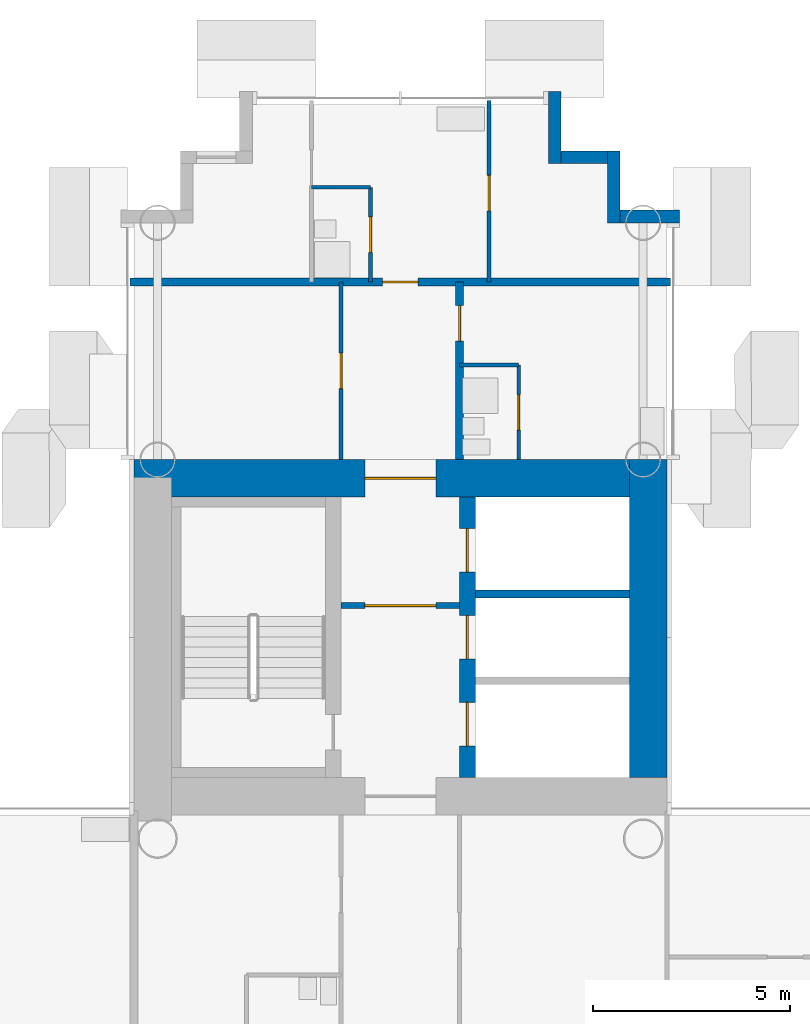
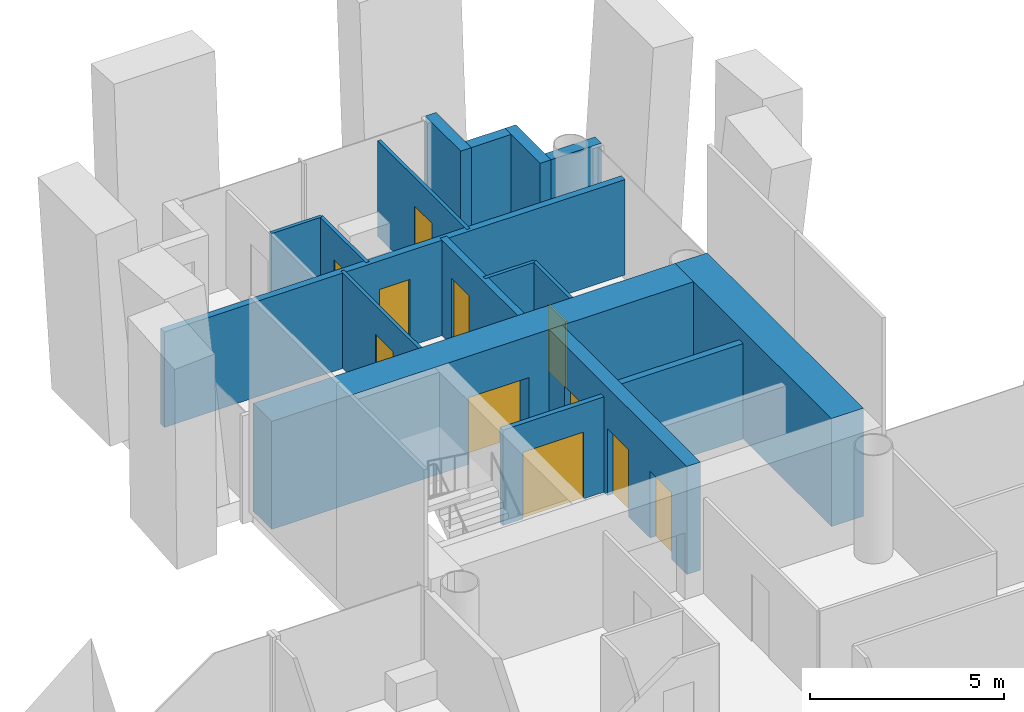
# One storey, part 14 of 21: 17 walls, 11 doors, 11 openings.
"""IFC4 building model written with IfcOpenShell, lengths in metres."""

from ifc_helpers import new_model, si_unit, direction, frame, frame_2d, origin, place, context, subcontext, project, spatial, rectangle, extrude, material, layer, layer_set, type_object, element, fill, save


model = new_model("IFC4")

# Units and contexts
model_context = context("Model", 3, precision=1e-05, world=origin(), true_north=direction((0.0, 1.0)))
body_context = subcontext(model_context, "Body", "Model", "MODEL_VIEW")
ifc_project = project(units=[si_unit("LENGTHUNIT", "METRE"), si_unit("AREAUNIT", "SQUARE_METRE"), si_unit("VOLUMEUNIT", "CUBIC_METRE"), si_unit("PLANEANGLEUNIT", "RADIAN"), si_unit("MASSUNIT", "GRAM", prefix="KILO")], contexts=[model_context])

# Site, building, storey
site_placement = place(None, origin())
site = spatial("IfcSite", under=ifc_project, at=site_placement, CompositionType="ELEMENT")
building_placement = place(site_placement, origin())
building = spatial("IfcBuilding", under=site, at=building_placement, Name="Ipe Terrace Towers", CompositionType="ELEMENT")
storey_placement = place(building_placement, frame((0.0, 0.0, 107.199951171875)))
storey = spatial("IfcBuildingStorey", under=building, at=storey_placement, Name="L29", CompositionType="ELEMENT", Elevation=107.199951171875)

# Walls
ifc_material_1 = material(Name="Concrete C40/50 with buff precast cladding", Category="concrete")
ifc_layer_1 = layer(ifc_material_1, 0.320068359375)
ifc_layer_set_1 = layer_set([ifc_layer_1], Name="BUFF CLADDING WALL 320")
wall_type_1 = type_object("IfcWallType", Name="BUFF CLADDING WALL 320", PredefinedType="STANDARD", material=ifc_layer_set_1)
wall_1_placement = place(storey_placement, frame((43.070068359375, 21.909912109375, -0.300048828125), z_axis=(0.0, 0.0, 1.0), x_axis=(-1.0, 0.0, 0.0)))
element("IfcWall", 1, at=wall_1_placement, inside=storey, type_object=wall_type_1, Name="T2-W-L29-17a wall", PredefinedType="STANDARD", context=body_context, shape_type="SweptSolid", body=[
    extrude(rectangle(XDim=1.5, YDim=0.320068359375, at=frame_2d((0.75, 0.0))), origin(), (0.0, 0.0, 1.0), 3.400146484375),
])
wall_2_placement = place(storey_placement, frame((41.409912109375, 21.75, -0.300048828125), z_axis=(0.0, 0.0, 1.0), x_axis=(0.0, 1.0, 0.0)))
element("IfcWall", 2, at=wall_2_placement, inside=storey, type_object=wall_type_1, Name="T2-W-L29-18a wall", PredefinedType="STANDARD", context=body_context, shape_type="SweptSolid", body=[
    extrude(rectangle(XDim=1.820068359375, YDim=0.320068359375, at=frame_2d((0.91015625, 0.0))), origin(), (0.0, 0.0, 1.0), 3.400146484375),
])
wall_3_placement = place(storey_placement, frame((41.25, 23.409912109375, -0.300048828125), z_axis=(0.0, 0.0, 1.0), x_axis=(-1.0, 0.0, 0.0)))
element("IfcWall", 3, at=wall_3_placement, inside=storey, type_object=wall_type_1, Name="T2-W-L29-19a wall", PredefinedType="STANDARD", context=body_context, shape_type="SweptSolid", body=[
    extrude(rectangle(XDim=1.179931640625, YDim=0.320068359375, at=frame_2d((0.58984375, 0.0))), origin(), (0.0, 0.0, 1.0), 3.400146484375),
])
wall_4_placement = place(storey_placement, frame((39.909912109375, 23.25, -0.300048828125), z_axis=(0.0, 0.0, 1.0), x_axis=(0.0, 1.0, 0.0)))
element("IfcWall", 4, at=wall_4_placement, inside=storey, type_object=wall_type_1, Name="T2-W-L29-20a wall", PredefinedType="STANDARD", context=body_context, shape_type="SweptSolid", body=[
    extrude(rectangle(XDim=1.820068359375, YDim=0.320068359375, at=frame_2d((0.91015625, 0.0))), origin(), (0.0, 0.0, 1.0), 3.400146484375),
])
ifc_material_2 = material(Name="Gypsum board partition", Category="plasterboard")
ifc_layer_2 = layer(ifc_material_2, 0.10009765625)
ifc_layer_set_2 = layer_set([ifc_layer_2], Name="Gypsum board partition 100 mm")
wall_type_2 = type_object("IfcWallType", Name="Gypsum board partition 100 mm", PredefinedType="PARTITIONING", material=ifc_layer_set_2)
for number, where, z_axis, x_axis, name in (
    (5, (39.0, 18.14990234375, 0.0), (0.0, 0.0, 1.0), (-1.0, 0.0, 0.0), "Gypsum board partition T2 L29 W14"),
    (6, (35.25, 22.64990234375, 0.0), (0.0, 0.0, 1.0), (-1.0, 0.0, 0.0), "Gypsum board partition T2 L29 W16"),
):
    element("IfcWall", number, at=place(storey_placement, frame(where, z_axis=z_axis, x_axis=x_axis)), inside=storey, type_object=wall_type_2, Name=name, PredefinedType="PARTITIONING", context=body_context, shape_type="SweptSolid", body=[
        extrude(rectangle(XDim=1.5, YDim=0.10009765625, at=frame_2d((0.75, 0.0))), origin(), (0.0, 0.0, 1.0), 3.0),
    ])

# Wall, opening, door
wall_5_placement = place(storey_placement, frame((39.0, 15.75, 0.0), z_axis=(0.0, 0.0, 1.0), x_axis=(0.0, 1.0, 0.0)))
wall_5 = element("IfcWall", 7, at=wall_5_placement, inside=storey, type_object=wall_type_2, Name="Gypsum board partition T2 L29 W23", PredefinedType="PARTITIONING", context=body_context, shape_type="SweptSolid", body=[
    extrude(rectangle(XDim=2.39990234375, YDim=0.10009765625, at=frame_2d((1.199951171875, 0.0))), origin(), (0.0, 0.0, 1.0), 3.0),
])
opening_1_placement = place(wall_5_placement, frame((0.75, 0.0, 0.0)))
opening_1 = element("IfcOpeningElement", 8, at=opening_1_placement, cuts=wall_5, Name="Opening T2-Z2F-22", PredefinedType="OPENING", context=body_context, shape_type="SweptSolid", body=[
    extrude(rectangle(XDim=0.89990234375, YDim=2.10009765625, at=frame_2d((0.449951171875, 1.050048828125))), frame((0.0, 0.06005859375, 0.0), z_axis=(0.0, -1.0, 0.0), x_axis=(1.0, 0.0, 0.0)), (0.0, 0.0, 1.0), 0.1201171875),
])
ifc_material_3 = material(Name="Timber door leaf", Category="wood")
door_type_1 = type_object("IfcDoorType", Name="Bathroom door 900 x 2100", OperationType="NOTDEFINED", PredefinedType="DOOR", material=ifc_material_3)
door_1_placement = place(opening_1_placement, origin())
door_1 = element("IfcDoor", 9, at=door_1_placement, inside=storey, type_object=door_type_1, Name="Bathroom door T2-Z2F-22", OperationType="SINGLE_SWING_LEFT", OverallHeight=2.10009765625, OverallWidth=0.89990234375, PredefinedType="DOOR", context=body_context, shape_type="SweptSolid", body=[
    extrude(rectangle(XDim=0.89990234375, YDim=2.10009765625, at=frame_2d((0.449951171875, 1.050048828125))), frame((0.0, 0.02490234375, 0.0), z_axis=(0.0, -1.0, 0.0), x_axis=(1.0, 0.0, 0.0)), (0.0, 0.0, 1.0), 0.050048828125),
])
fill(opening_1, door_1)

wall_6_placement = place(storey_placement, frame((38.25, 20.25, 0.0), z_axis=(0.0, 0.0, 1.0), x_axis=(0.0, 1.0, 0.0)))
wall_6 = element("IfcWall", 10, at=wall_6_placement, inside=storey, type_object=wall_type_2, Name="Gypsum board partition T2 L29 W24", PredefinedType="PARTITIONING", context=body_context, shape_type="SweptSolid", body=[
    extrude(rectangle(XDim=4.60009765625, YDim=0.10009765625, at=frame_2d((2.300048828125, 0.0))), origin(), (0.0, 0.0, 1.0), 3.0),
])
opening_2_placement = place(wall_6_placement, frame((1.800048828125, 0.0, 0.0)))
opening_2 = element("IfcOpeningElement", 11, at=opening_2_placement, cuts=wall_6, Name="Opening T2-Z2F-26", PredefinedType="OPENING", context=body_context, shape_type="SweptSolid", body=[
    extrude(rectangle(XDim=0.89990234375, YDim=2.10009765625, at=frame_2d((0.449951171875, 1.050048828125))), frame((0.0, 0.06005859375, 0.0), z_axis=(0.0, -1.0, 0.0), x_axis=(1.0, 0.0, 0.0)), (0.0, 0.0, 1.0), 0.1201171875),
])
ifc_material_4 = material(Name="Timber door leaf", Category="wood")
door_type_2 = type_object("IfcDoorType", Name="Lounge door 900 x 2100", OperationType="NOTDEFINED", PredefinedType="DOOR", material=ifc_material_4)
door_2_placement = place(opening_2_placement, origin())
door_2 = element("IfcDoor", 12, at=door_2_placement, inside=storey, type_object=door_type_2, Name="Lounge door T2-Z2F-26", OperationType="SINGLE_SWING_LEFT", OverallHeight=2.10009765625, OverallWidth=0.89990234375, PredefinedType="DOOR", context=body_context, shape_type="SweptSolid", body=[
    extrude(rectangle(XDim=0.89990234375, YDim=2.10009765625, at=frame_2d((0.449951171875, 1.050048828125))), frame((0.0, 0.02490234375, 0.0), z_axis=(0.0, -1.0, 0.0), x_axis=(1.0, 0.0, 0.0)), (0.0, 0.0, 1.0), 0.050048828125),
])
fill(opening_2, door_2)

wall_7_placement = place(storey_placement, frame((35.25, 20.25, 0.0), z_axis=(0.0, 0.0, 1.0), x_axis=(0.0, 1.0, 0.0)))
wall_7 = element("IfcWall", 13, at=wall_7_placement, inside=storey, type_object=wall_type_2, Name="Gypsum board partition T2 L29 W28", PredefinedType="PARTITIONING", context=body_context, shape_type="SweptSolid", body=[
    extrude(rectangle(XDim=2.39990234375, YDim=0.10009765625, at=frame_2d((1.199951171875, 0.0))), origin(), (0.0, 0.0, 1.0), 3.0),
])
opening_3_placement = place(wall_7_placement, frame((0.75, 0.0, 0.0)))
opening_3 = element("IfcOpeningElement", 14, at=opening_3_placement, cuts=wall_7, Name="Opening T2-Z2F-23", PredefinedType="OPENING", context=body_context, shape_type="SweptSolid", body=[
    extrude(rectangle(XDim=0.89990234375, YDim=2.10009765625, at=frame_2d((0.449951171875, 1.050048828125))), frame((0.0, 0.06005859375, 0.0), z_axis=(0.0, -1.0, 0.0), x_axis=(1.0, 0.0, 0.0)), (0.0, 0.0, 1.0), 0.1201171875),
])
door_3_placement = place(opening_3_placement, origin())
door_3 = element("IfcDoor", 15, at=door_3_placement, inside=storey, type_object=door_type_1, Name="Bathroom door T2-Z2F-23", OperationType="SINGLE_SWING_LEFT", OverallHeight=2.10009765625, OverallWidth=0.89990234375, PredefinedType="DOOR", context=body_context, shape_type="SweptSolid", body=[
    extrude(rectangle(XDim=0.89990234375, YDim=2.10009765625, at=frame_2d((0.449951171875, 1.050048828125))), frame((0.0, 0.02490234375, 0.0), z_axis=(0.0, -1.0, 0.0), x_axis=(1.0, 0.0, 0.0)), (0.0, 0.0, 1.0), 0.050048828125),
])
fill(opening_3, door_3)

wall_8_placement = place(storey_placement, frame((34.5, 15.75, 0.0), z_axis=(0.0, 0.0, 1.0), x_axis=(0.0, 1.0, 0.0)))
wall_8 = element("IfcWall", 16, at=wall_8_placement, inside=storey, type_object=wall_type_2, Name="Gypsum board partition T2 L29 W31", PredefinedType="PARTITIONING", context=body_context, shape_type="SweptSolid", body=[
    extrude(rectangle(XDim=4.5, YDim=0.10009765625, at=frame_2d((2.25, 0.0))), origin(), (0.0, 0.0, 1.0), 3.0),
])
opening_4_placement = place(wall_8_placement, frame((1.800048828125, 0.0, 0.0)))
opening_4 = element("IfcOpeningElement", 17, at=opening_4_placement, cuts=wall_8, Name="Opening T2-Z2F-20", PredefinedType="OPENING", context=body_context, shape_type="SweptSolid", body=[
    extrude(rectangle(XDim=0.89990234375, YDim=2.10009765625, at=frame_2d((0.449951171875, 1.050048828125))), frame((0.0, 0.06005859375, 0.0), z_axis=(0.0, -1.0, 0.0), x_axis=(1.0, 0.0, 0.0)), (0.0, 0.0, 1.0), 0.1201171875),
])
door_4_placement = place(opening_4_placement, origin())
door_4 = element("IfcDoor", 18, at=door_4_placement, inside=storey, type_object=door_type_2, Name="Lounge door T2-Z2F-20", OperationType="SINGLE_SWING_LEFT", OverallHeight=2.10009765625, OverallWidth=0.89990234375, PredefinedType="DOOR", context=body_context, shape_type="SweptSolid", body=[
    extrude(rectangle(XDim=0.89990234375, YDim=2.10009765625, at=frame_2d((0.449951171875, 1.050048828125))), frame((0.0, 0.02490234375, 0.0), z_axis=(0.0, -1.0, 0.0), x_axis=(1.0, 0.0, 0.0)), (0.0, 0.0, 1.0), 0.050048828125),
])
fill(opening_4, door_4)

ifc_material_5 = material(Name="Gypsum board partition", Category="plasterboard")
ifc_layer_3 = layer(ifc_material_5, 0.14990234375)
ifc_layer_set_3 = layer_set([ifc_layer_3], Name="Gypsum board partition 150 mm")
wall_type_3 = type_object("IfcWallType", Name="Gypsum board partition 150 mm", PredefinedType="PARTITIONING", material=ifc_layer_set_3)
wall_9_placement = place(storey_placement, frame((37.5, 12.050048828125, 0.0), z_axis=(0.0, 0.0, 1.0), x_axis=(-1.0, 0.0, 0.0)))
wall_9 = element("IfcWall", 19, at=wall_9_placement, inside=storey, type_object=wall_type_3, Name="Gypsum board partition T2 L29 t2c1-lobby-wall", PredefinedType="PARTITIONING", context=body_context, shape_type="SweptSolid", body=[
    extrude(rectangle(XDim=3.0, YDim=0.14990234375, at=frame_2d((1.5, 0.0))), origin(), (0.0, 0.0, 1.0), 3.0),
])
opening_5_placement = place(wall_9_placement, frame((0.60009765625, 0.0, 0.0)))
opening_5 = element("IfcOpeningElement", 20, at=opening_5_placement, cuts=wall_9, Name="Opening T2C1-VD", PredefinedType="OPENING", context=body_context, shape_type="SweptSolid", body=[
    extrude(rectangle(XDim=1.800048828125, YDim=2.10009765625, at=frame_2d((0.89990234375, 1.050048828125))), frame((0.0, 0.0849609375, 0.0), z_axis=(0.0, -1.0, 0.0), x_axis=(1.0, 0.0, 0.0)), (0.0, 0.0, 1.0), 0.169921875),
])
ifc_material_6 = material(Name="Fire-rated timber door leaf", Category="wood")
door_type_3 = type_object("IfcDoorType", Name="Lobby door 1800 x 2100 FD60", OperationType="NOTDEFINED", PredefinedType="DOOR", material=ifc_material_6)
door_5_placement = place(opening_5_placement, origin())
door_5 = element("IfcDoor", 21, at=door_5_placement, inside=storey, type_object=door_type_3, Name="Lobby door T2C1-VD", OperationType="SINGLE_SWING_LEFT", OverallHeight=2.10009765625, OverallWidth=1.800048828125, PredefinedType="DOOR", context=body_context, shape_type="SweptSolid", body=[
    extrude(rectangle(XDim=1.800048828125, YDim=2.10009765625, at=frame_2d((0.89990234375, 1.050048828125))), frame((0.0, 0.02490234375, 0.0), z_axis=(0.0, -1.0, 0.0), x_axis=(1.0, 0.0, 0.0)), (0.0, 0.0, 1.0), 0.050048828125),
])
fill(opening_5, door_5)

# Wall
ifc_material_7 = material(Name="Gypsum board party wall", Category="plasterboard")
ifc_layer_4 = layer(ifc_material_7, 0.199951171875)
ifc_layer_set_4 = layer_set([ifc_layer_4], Name="Gypsum board party wall 200 mm")
wall_type_4 = type_object("IfcWallType", Name="Gypsum board party wall 200 mm", PredefinedType="SOLIDWALL", material=ifc_layer_set_4)
wall_10_placement = place(storey_placement, frame((41.800048828125, 12.35009765625, 0.0), z_axis=(0.0, 0.0, 1.0), x_axis=(-1.0, 0.0, 0.0)))
element("IfcWall", 22, at=wall_10_placement, inside=storey, type_object=wall_type_4, Name="Gypsum board party wall T2 L29 t2c1-shaft-div2", PredefinedType="SOLIDWALL", context=body_context, shape_type="SweptSolid", body=[
    extrude(rectangle(XDim=3.900146484375, YDim=0.199951171875, at=frame_2d((1.9501953125, 0.0))), origin(), (0.0, 0.0, 1.0), 3.0),
])

# Wall, opening, door
wall_11_placement = place(storey_placement, frame((42.85009765625, 20.25, 0.0), z_axis=(0.0, 0.0, 1.0), x_axis=(-1.0, 0.0, 0.0)))
wall_11 = element("IfcWall", 23, at=wall_11_placement, inside=storey, type_object=wall_type_4, Name="Gypsum board party wall T2 L29 W15", PredefinedType="SOLIDWALL", context=body_context, shape_type="SweptSolid", body=[
    extrude(rectangle(XDim=13.7001953125, YDim=0.199951171875, at=frame_2d((6.85009765625, 0.0))), origin(), (0.0, 0.0, 1.0), 3.0),
])
opening_6_placement = place(wall_11_placement, frame((6.39990234375, 0.0, 0.0)))
opening_6 = element("IfcOpeningElement", 24, at=opening_6_placement, cuts=wall_11, Name="Opening T2-Z2F-24", PredefinedType="OPENING", context=body_context, shape_type="SweptSolid", body=[
    extrude(rectangle(XDim=0.89990234375, YDim=2.10009765625, at=frame_2d((0.449951171875, 1.050048828125))), frame((0.0, 0.10986328125, 0.0), z_axis=(0.0, -1.0, 0.0), x_axis=(1.0, 0.0, 0.0)), (0.0, 0.0, 1.0), 0.219970703125),
])
ifc_material_8 = material(Name="Fire-rated timber door leaf", Category="wood")
door_type_4 = type_object("IfcDoorType", Name="Flat entrance door 900 x 2100 FD30S", OperationType="NOTDEFINED", PredefinedType="DOOR", material=ifc_material_8)
door_6_placement = place(opening_6_placement, origin())
door_6 = element("IfcDoor", 25, at=door_6_placement, inside=storey, type_object=door_type_4, Name="Flat entrance door T2-Z2F-24", OperationType="SINGLE_SWING_RIGHT", OverallHeight=2.10009765625, OverallWidth=0.89990234375, PredefinedType="DOOR", context=body_context, shape_type="SweptSolid", body=[
    extrude(rectangle(XDim=0.89990234375, YDim=2.10009765625, at=frame_2d((0.449951171875, 1.050048828125))), frame((0.0, 0.02490234375, 0.0), z_axis=(0.0, -1.0, 0.0), x_axis=(1.0, 0.0, 0.0)), (0.0, 0.0, 1.0), 0.050048828125),
])
fill(opening_6, door_6)

wall_12_placement = place(storey_placement, frame((37.5, 15.75, 0.0), z_axis=(0.0, 0.0, 1.0), x_axis=(0.0, 1.0, 0.0)))
wall_12 = element("IfcWall", 26, at=wall_12_placement, inside=storey, type_object=wall_type_4, Name="Gypsum board party wall T2 L29 W27", PredefinedType="SOLIDWALL", context=body_context, shape_type="SweptSolid", body=[
    extrude(rectangle(XDim=4.5, YDim=0.199951171875, at=frame_2d((2.25, 0.0))), origin(), (0.0, 0.0, 1.0), 3.0),
])
opening_7_placement = place(wall_12_placement, frame((3.0, 0.0, 0.0)))
opening_7 = element("IfcOpeningElement", 27, at=opening_7_placement, cuts=wall_12, Name="Opening T2-Z2F-21", PredefinedType="OPENING", context=body_context, shape_type="SweptSolid", body=[
    extrude(rectangle(XDim=0.89990234375, YDim=2.10009765625, at=frame_2d((0.449951171875, 1.050048828125))), frame((0.0, 0.10986328125, 0.0), z_axis=(0.0, -1.0, 0.0), x_axis=(1.0, 0.0, 0.0)), (0.0, 0.0, 1.0), 0.219970703125),
])
door_7_placement = place(opening_7_placement, origin())
door_7 = element("IfcDoor", 28, at=door_7_placement, inside=storey, type_object=door_type_4, Name="Flat entrance door T2-Z2F-21", OperationType="SINGLE_SWING_RIGHT", OverallHeight=2.10009765625, OverallWidth=0.89990234375, PredefinedType="DOOR", context=body_context, shape_type="SweptSolid", body=[
    extrude(rectangle(XDim=0.89990234375, YDim=2.10009765625, at=frame_2d((0.449951171875, 1.050048828125))), frame((0.0, 0.02490234375, 0.0), z_axis=(0.0, -1.0, 0.0), x_axis=(1.0, 0.0, 0.0)), (0.0, 0.0, 1.0), 0.050048828125),
])
fill(opening_7, door_7)

# Wall, openings, doors
ifc_material_9 = material(Name="Concrete C50/60", Category="concrete")
ifc_layer_5 = layer(ifc_material_9, 0.39990234375)
ifc_layer_set_5 = layer_set([ifc_layer_5], Name="RW400 CORE SPINE WALL 400 C50-60")
wall_type_5 = type_object("IfcWallType", Name="RW400 CORE SPINE WALL 400 C50-60", PredefinedType="SHEAR", material=ifc_layer_set_5)
wall_13_placement = place(storey_placement, frame((37.699951171875, 7.699951171875, 0.0), z_axis=(0.0, 0.0, 1.0), x_axis=(0.0, 1.0, 0.0)))
wall_13 = element("IfcWall", 29, at=wall_13_placement, inside=storey, type_object=wall_type_5, Name="Core spine wall T2-C1-Z2-SW2", PredefinedType="SHEAR", context=body_context, shape_type="SweptSolid", body=[
    extrude(rectangle(XDim=7.10009765625, YDim=0.39990234375, at=frame_2d((3.550048828125, 0.0))), origin(), (0.0, 0.0, 1.0), 3.400146484375),
])
opening_8_placement = place(wall_13_placement, frame((0.800048828125, 0.0, 0.0)))
opening_8 = element("IfcOpeningElement", 30, at=opening_8_placement, cuts=wall_13, Name="Opening T2C1-LD1", PredefinedType="OPENING", context=body_context, shape_type="SweptSolid", body=[
    extrude(rectangle(XDim=1.10009765625, YDim=2.10009765625, at=frame_2d((0.550048828125, 1.050048828125))), frame((0.0, 0.2099609375, 0.0), z_axis=(0.0, -1.0, 0.0), x_axis=(1.0, 0.0, 0.0)), (0.0, 0.0, 1.0), 0.419921875),
])
opening_9_placement = place(wall_13_placement, frame((3.0, 0.0, 0.0)))
opening_9 = element("IfcOpeningElement", 31, at=opening_9_placement, cuts=wall_13, Name="Opening T2C1-LD2", PredefinedType="OPENING", context=body_context, shape_type="SweptSolid", body=[
    extrude(rectangle(XDim=1.10009765625, YDim=2.10009765625, at=frame_2d((0.550048828125, 1.050048828125))), frame((0.0, 0.2099609375, 0.0), z_axis=(0.0, -1.0, 0.0), x_axis=(1.0, 0.0, 0.0)), (0.0, 0.0, 1.0), 0.419921875),
])
opening_10_placement = place(wall_13_placement, frame((5.199951171875, 0.0, 0.0)))
opening_10 = element("IfcOpeningElement", 32, at=opening_10_placement, cuts=wall_13, Name="Opening T2C1-LD3", PredefinedType="OPENING", context=body_context, shape_type="SweptSolid", body=[
    extrude(rectangle(XDim=1.10009765625, YDim=2.10009765625, at=frame_2d((0.550048828125, 1.050048828125))), frame((0.0, 0.2099609375, 0.0), z_axis=(0.0, -1.0, 0.0), x_axis=(1.0, 0.0, 0.0)), (0.0, 0.0, 1.0), 0.419921875),
])
ifc_material_10 = material(Name="Fire-rated timber door leaf", Category="wood")
door_type_5 = type_object("IfcDoorType", Name="Sliding door 1100 x 2100 FD60", OperationType="SLIDING_TO_LEFT", PredefinedType="DOOR", material=ifc_material_10)
door_8_placement = place(opening_8_placement, origin())
door_8 = element("IfcDoor", 33, at=door_8_placement, inside=storey, type_object=door_type_5, Name="Sliding door T2C1-LD1", OperationType="SLIDING_TO_LEFT", OverallHeight=2.10009765625, OverallWidth=1.10009765625, PredefinedType="DOOR", context=body_context, shape_type="SweptSolid", body=[
    extrude(rectangle(XDim=1.10009765625, YDim=2.10009765625, at=frame_2d((0.550048828125, 1.050048828125))), frame((0.0, 0.02490234375, 0.0), z_axis=(0.0, -1.0, 0.0), x_axis=(1.0, 0.0, 0.0)), (0.0, 0.0, 1.0), 0.050048828125),
])
fill(opening_8, door_8)
door_9_placement = place(opening_9_placement, origin())
door_9 = element("IfcDoor", 34, at=door_9_placement, inside=storey, type_object=door_type_5, Name="Sliding door T2C1-LD2", OperationType="SLIDING_TO_LEFT", OverallHeight=2.10009765625, OverallWidth=1.10009765625, PredefinedType="DOOR", context=body_context, shape_type="SweptSolid", body=[
    extrude(rectangle(XDim=1.10009765625, YDim=2.10009765625, at=frame_2d((0.550048828125, 1.050048828125))), frame((0.0, 0.02490234375, 0.0), z_axis=(0.0, -1.0, 0.0), x_axis=(1.0, 0.0, 0.0)), (0.0, 0.0, 1.0), 0.050048828125),
])
fill(opening_9, door_9)
door_10_placement = place(opening_10_placement, origin())
door_10 = element("IfcDoor", 35, at=door_10_placement, inside=storey, type_object=door_type_5, Name="Sliding door T2C1-LD3", OperationType="SLIDING_TO_LEFT", OverallHeight=2.10009765625, OverallWidth=1.10009765625, PredefinedType="DOOR", context=body_context, shape_type="SweptSolid", body=[
    extrude(rectangle(XDim=1.10009765625, YDim=2.10009765625, at=frame_2d((0.550048828125, 1.050048828125))), frame((0.0, 0.02490234375, 0.0), z_axis=(0.0, -1.0, 0.0), x_axis=(1.0, 0.0, 0.0)), (0.0, 0.0, 1.0), 0.050048828125),
])
fill(opening_10, door_10)

# Wall
ifc_material_11 = material(Name="Concrete C50/60", Category="concrete")
ifc_layer_6 = layer(ifc_material_11, 0.949951171875)
ifc_layer_set_6 = layer_set([ifc_layer_6], Name="RW950 CORE WALL 950 C50-60")
wall_type_6 = type_object("IfcWallType", Name="RW950 CORE WALL 950 C50-60", PredefinedType="SHEAR", material=ifc_layer_set_6)
wall_14_placement = place(storey_placement, frame((42.27490234375, 7.699951171875, 0.0), z_axis=(0.0, 0.0, 1.0), x_axis=(0.0, 1.0, 0.0)))
element("IfcWall", 36, at=wall_14_placement, inside=storey, type_object=wall_type_6, Name="Core wall T2-C1-Z2-W02", PredefinedType="SHEAR", context=body_context, shape_type="SweptSolid", body=[
    extrude(rectangle(XDim=8.050048828125, YDim=0.949951171875, at=frame_2d((4.02490234375, 0.0))), origin(), (0.0, 0.0, 1.0), 3.400146484375),
])

# Wall, opening, door
wall_15_placement = place(storey_placement, frame((41.800048828125, 15.27490234375, 0.0), z_axis=(0.0, 0.0, 1.0), x_axis=(-1.0, 0.0, 0.0)))
wall_15 = element("IfcWall", 37, at=wall_15_placement, inside=storey, type_object=wall_type_6, Name="Core wall T2-C1-Z2-W03", PredefinedType="SHEAR", context=body_context, shape_type="SweptSolid", body=[
    extrude(rectangle(XDim=12.550048828125, YDim=0.949951171875, at=frame_2d((6.27490234375, 0.0))), origin(), (0.0, 0.0, 1.0), 3.400146484375),
])
opening_11_placement = place(wall_15_placement, frame((4.89990234375, 0.0, 0.0)))
opening_11 = element("IfcOpeningElement", 38, at=opening_11_placement, cuts=wall_15, Name="Opening T2C1-FD", PredefinedType="OPENING", context=body_context, shape_type="SweptSolid", body=[
    extrude(rectangle(XDim=1.800048828125, YDim=2.10009765625, at=frame_2d((0.89990234375, 1.050048828125))), frame((0.0, 0.48486328125, 0.0), z_axis=(0.0, -1.0, 0.0), x_axis=(1.0, 0.0, 0.0)), (0.0, 0.0, 1.0), 0.969970703125),
])
ifc_material_12 = material(Name="Fire-rated timber door leaf", Category="wood")
door_type_6 = type_object("IfcDoorType", Name="Fire door 1800 x 2100 FD30S", OperationType="NOTDEFINED", PredefinedType="DOOR", material=ifc_material_12)
door_11_placement = place(opening_11_placement, origin())
door_11 = element("IfcDoor", 39, at=door_11_placement, inside=storey, type_object=door_type_6, Name="Fire door T2C1-FD", OperationType="SINGLE_SWING_LEFT", OverallHeight=2.10009765625, OverallWidth=1.800048828125, PredefinedType="DOOR", context=body_context, shape_type="SweptSolid", body=[
    extrude(rectangle(XDim=1.800048828125, YDim=2.10009765625, at=frame_2d((0.89990234375, 1.050048828125))), frame((0.0, 0.02490234375, 0.0), z_axis=(0.0, -1.0, 0.0), x_axis=(1.0, 0.0, 0.0)), (0.0, 0.0, 1.0), 0.050048828125),
])
fill(opening_11, door_11)

save(model, "model.ifc")
